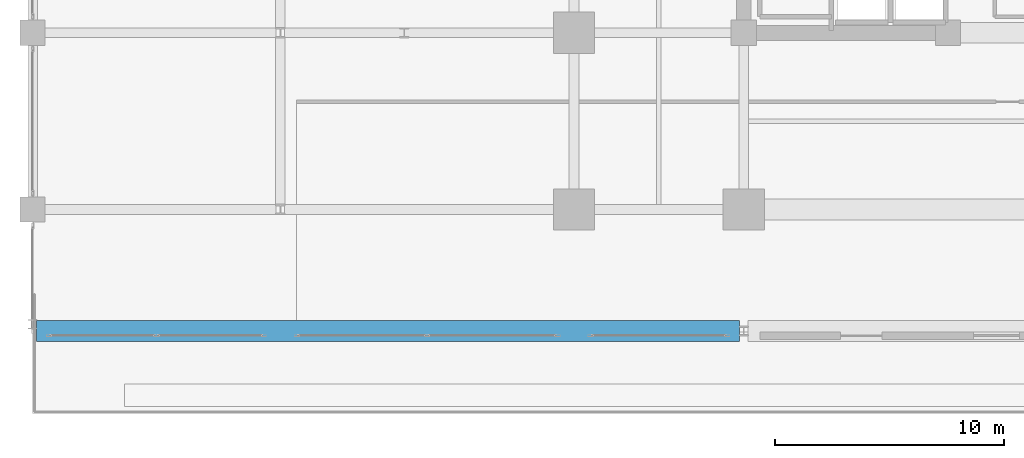
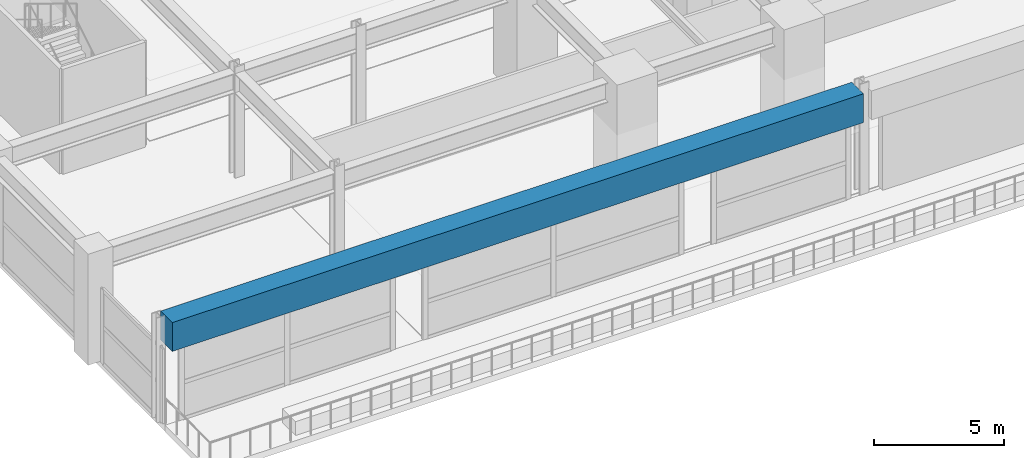
# One storey, part 5 of 43: 1 beam.
"""IFC4 building model written with IfcOpenShell, lengths in metres."""

from ifc_helpers import new_model, si_unit, direction, frame, origin, origin_2d, place, context, subcontext, project, spatial, rectangle, extrude, material, material_profile, profile_set, type_object, element, save


model = new_model("IFC4")

# Units and contexts
model_context = context("Model", 3, precision=1e-05, world=origin(), true_north=direction((0.0, 1.0)))
body_context = subcontext(model_context, "Body", "Model", "MODEL_VIEW")
ifc_project = project(units=[si_unit("LENGTHUNIT", "METRE"), si_unit("AREAUNIT", "SQUARE_METRE"), si_unit("VOLUMEUNIT", "CUBIC_METRE"), si_unit("PLANEANGLEUNIT", "RADIAN"), si_unit("MASSUNIT", "GRAM", prefix="KILO")], contexts=[model_context])

# Site, building, storey
site_placement = place(None, origin())
site = spatial("IfcSite", under=ifc_project, at=site_placement, CompositionType="ELEMENT")
building_placement = place(site_placement, origin())
building = spatial("IfcBuilding", under=site, at=building_placement, Name="Kovane Verandah Tower", CompositionType="ELEMENT")
storey_placement = place(building_placement, frame((0.0, 0.0, 11.199951171875)))
storey = spatial("IfcBuildingStorey", under=building, at=storey_placement, Name="L02", CompositionType="ELEMENT", Elevation=11.199951171875)

# Beam
ifc_material = material(Name="Concrete C80/95", Category="concrete")
ifc_material_profile = material_profile(ifc_material, rectangle(XDim=0.89990234375, YDim=1.35009765625, at=origin_2d()), Name="RCB900x1350")
ifc_profile_set = profile_set([ifc_material_profile], Name="Concrete C80/95")
beam_type = type_object("IfcBeamType", Name="BM-TR-900x1350", PredefinedType="BEAM", material=ifc_profile_set)
beam_placement = place(storey_placement, frame((-1.820068359375, 5.5, 4.22509765625), z_axis=(1.0, 0.0, 0.0), x_axis=(0.0, 1.0, 0.0)))
element("IfcBeam", 1, at=beam_placement, inside=storey, type_object=beam_type, Name="L02 South Terrace Girder S2-1", PredefinedType="BEAM", context=body_context, shape_type="SweptSolid", body=[
    extrude(rectangle(XDim=0.89990234375, YDim=1.35009765625, at=origin_2d()), origin(), (0.0, 0.0, 1.0), 30.64013671875),
])

save(model, "model.ifc")
